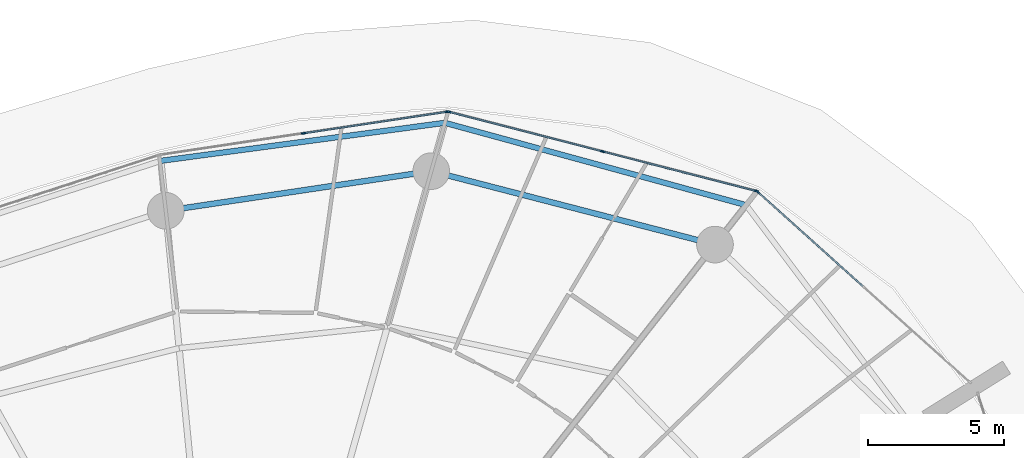
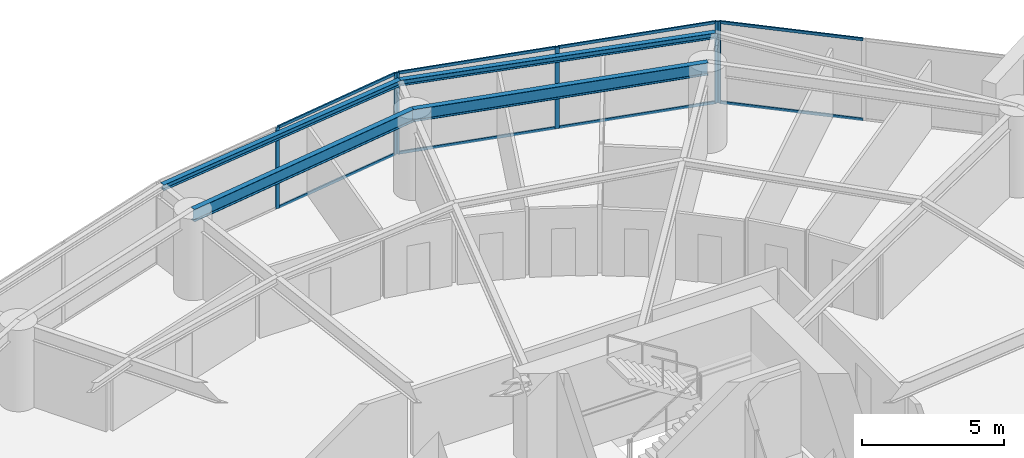
# One storey, part 15 of 22: 14 members, 4 beams, 3 elements without a shape of their own.
"""IFC4 building model written with IfcOpenShell, lengths in metres."""

from ifc_helpers import new_model, si_unit, direction, frame, origin, origin_2d, place, context, subcontext, project, spatial, rectangle, i_section, extrude, material, layer, layer_set, material_profile, profile_set, type_object, element, aggregate, save


model = new_model("IFC4")

# Units and contexts
model_context = context("Model", 3, precision=1e-05, world=origin(), true_north=direction((0.0, 1.0)))
body_context = subcontext(model_context, "Body", "Model", "MODEL_VIEW")
ifc_project = project(units=[si_unit("LENGTHUNIT", "METRE"), si_unit("AREAUNIT", "SQUARE_METRE"), si_unit("VOLUMEUNIT", "CUBIC_METRE"), si_unit("PLANEANGLEUNIT", "RADIAN"), si_unit("MASSUNIT", "GRAM", prefix="KILO")], contexts=[model_context])

# Site, building, storey
site_placement = place(None, origin())
site = spatial("IfcSite", under=ifc_project, at=site_placement, CompositionType="ELEMENT")
building_placement = place(site_placement, origin())
building = spatial("IfcBuilding", under=site, at=building_placement, Name="Kazma Halo Residences", CompositionType="ELEMENT")
storey_placement = place(building_placement, frame((0.0, 0.0, 26.39990234375)))
storey = spatial("IfcBuildingStorey", under=building, at=storey_placement, Name="L05", CompositionType="ELEMENT", Elevation=26.39990234375)

# Beams
ifc_material_1 = material(Name="Steel S355", Category="steel")
ifc_material_profile_1 = material_profile(ifc_material_1, i_section(OverallWidth=0.201904296875, OverallDepth=0.2470703125, WebThickness=0.00732421875, FlangeThickness=0.010986328125, FilletRadius=0.011962890625, at=origin_2d()), Name="W250x49.1")
ifc_profile_set_1 = profile_set([ifc_material_profile_1], Name="Steel S355")
beam_type_1 = type_object("IfcBeamType", Name="BM-BAL-CANT", PredefinedType="BEAM", material=ifc_profile_set_1)
beam_1_placement = place(storey_placement, frame((66.603515625, 65.598388671875, 3.376708984375), z_axis=(-0.964628474934, 0.263613173697, 0.0), x_axis=(-0.263613173697, -0.964628474934, 0.0)))
element("IfcBeam", 1, at=beam_1_placement, inside=storey, type_object=beam_type_1, Name="L05 wave-balcony tie beam 02", PredefinedType="BEAM", context=body_context, shape_type="SweptSolid", body=[
    extrude(i_section(OverallWidth=0.201904296875, OverallDepth=0.2470703125, WebThickness=0.00732421875, FlangeThickness=0.010986328125, FilletRadius=0.011962890625, at=origin_2d()), origin(), (0.0, 0.0, 1.0), 11.499755859375),
])
beam_2_placement = place(storey_placement, frame((55.510498046875, 68.6298828125, 3.376708984375), z_axis=(-0.991168183526, -0.13261082899, 0.0), x_axis=(0.13261082899, -0.991168183526, 0.0)))
element("IfcBeam", 2, at=beam_2_placement, inside=storey, type_object=beam_type_1, Name="L05 wave-balcony tie beam 03", PredefinedType="BEAM", context=body_context, shape_type="SweptSolid", body=[
    extrude(i_section(OverallWidth=0.201904296875, OverallDepth=0.2470703125, WebThickness=0.00732421875, FlangeThickness=0.010986328125, FilletRadius=0.011962890625, at=origin_2d()), origin(), (0.0, 0.0, 1.0), 10.551025390625),
])
ifc_material_profile_2 = material_profile(ifc_material_1, i_section(OverallWidth=0.208984375, OverallDepth=0.532958984375, WebThickness=0.01025390625, FlangeThickness=0.015625, FilletRadius=0.01611328125, at=origin_2d()), Name="W530x92")
ifc_profile_set_2 = profile_set([ifc_material_profile_2], Name="Steel S355")
beam_type_2 = type_object("IfcBeamType", Name="BM-SPN-W530", PredefinedType="BEAM", material=ifc_profile_set_2)
beam_3_placement = place(storey_placement, frame((65.458251953125, 64.145751953125, 3.233642578125), z_axis=(-0.968123558238, 0.250473104313, 0.0), x_axis=(-0.250473104313, -0.968123558238, 0.0)))
element("IfcBeam", 3, at=beam_3_placement, inside=storey, type_object=beam_type_2, Name="L05 perimeter ring beam 02", PredefinedType="BEAM", context=body_context, shape_type="SweptSolid", body=[
    extrude(i_section(OverallWidth=0.208984375, OverallDepth=0.532958984375, WebThickness=0.01025390625, FlangeThickness=0.015625, FilletRadius=0.01611328125, at=origin_2d()), origin(), (0.0, 0.0, 1.0), 10.7939453125),
])
beam_4_placement = place(storey_placement, frame((55.00830078125, 66.849365234375, 3.233642578125), z_axis=(-0.989033061974, -0.147694286693, 0.0), x_axis=(0.147694286693, -0.989033061974, 0.0)))
element("IfcBeam", 4, at=beam_4_placement, inside=storey, type_object=beam_type_2, Name="L05 perimeter ring beam 03", PredefinedType="BEAM", context=body_context, shape_type="SweptSolid", body=[
    extrude(i_section(OverallWidth=0.208984375, OverallDepth=0.532958984375, WebThickness=0.01025390625, FlangeThickness=0.015625, FilletRadius=0.01611328125, at=origin_2d()), origin(), (0.0, 0.0, 1.0), 9.885009765625),
])

# Curtain wall, member
ifc_material_2 = material(Name="Aluminium AW-6063 T6 and Triple-Silver Low-E Glass", Category="aluminium")
ifc_layer = layer(ifc_material_2, 0.159912109375)
ifc_layer_set = layer_set([ifc_layer], Name="Aluminium AW-6063 T6 and Triple-Silver Low-E Glass")
curtain_wall_type = type_object("IfcCurtainWallType", Name="CW-SYS-2", PredefinedType="NOTDEFINED", material=ifc_layer_set)
curtain_wall_1_placement = place(storey_placement, origin())
curtain_wall_1 = element("IfcCurtainWall", 5, at=curtain_wall_1_placement, inside=storey, type_object=curtain_wall_type, Name="L05 unitised curtain wall B01", PredefinedType="NOTDEFINED")
ifc_material_3 = material(Name="Aluminium AW-6063 T6", Category="aluminium")
ifc_material_profile_3 = material_profile(ifc_material_3, rectangle(XDim=0.06005859375, YDim=0.159912109375, at=origin_2d()), Name="CWM-60x160")
ifc_profile_set_3 = profile_set([ifc_material_profile_3], Name="Aluminium AW-6063 T6")
member_type_1 = type_object("IfcMemberType", Name="CW-SYS-2-MUL", PredefinedType="MULLION", material=ifc_profile_set_3)
member_1_placement = place(storey_placement, frame((67.028076171875, 66.088623046875, 0.0), z_axis=(0.0, 0.0, 1.0), x_axis=(-0.667821453854, -0.744321506993, 0.0)))
member_1 = element("IfcMember", 6, at=member_1_placement, type_object=member_type_1, Name="CWS-2 mullion 3", PredefinedType="MULLION", context=body_context, shape_type="SweptSolid", body=[
    extrude(rectangle(XDim=0.06005859375, YDim=0.159912109375, at=origin_2d()), origin(), (0.0, 0.0, 1.0), 3.5),
])

# Curtain wall, members
curtain_wall_2_placement = place(storey_placement, origin())
curtain_wall_2 = element("IfcCurtainWall", 7, at=curtain_wall_2_placement, inside=storey, type_object=curtain_wall_type, Name="L05 unitised curtain wall B02", PredefinedType="NOTDEFINED")
member_2_placement = place(storey_placement, frame((66.976806640625, 66.1162109375, 0.0), z_axis=(0.0, 0.0, 1.0), x_axis=(-0.249635311349, -0.968339925505, 0.0)))
member_2 = element("IfcMember", 8, at=member_2_placement, type_object=member_type_1, Name="CWS-2 mullion 1", PredefinedType="MULLION", context=body_context, shape_type="SweptSolid", body=[
    extrude(rectangle(XDim=0.06005859375, YDim=0.159912109375, at=origin_2d()), origin(), (0.0, 0.0, 1.0), 3.5),
])
member_3_placement = place(storey_placement, frame((61.316162109375, 67.575439453125, 0.0), z_axis=(0.0, 0.0, 1.0), x_axis=(-0.249635311349, -0.968339925505, 0.0)))
member_3 = element("IfcMember", 9, at=member_3_placement, type_object=member_type_1, Name="CWS-2 mullion 2", PredefinedType="MULLION", context=body_context, shape_type="SweptSolid", body=[
    extrude(rectangle(XDim=0.06005859375, YDim=0.159912109375, at=origin_2d()), origin(), (0.0, 0.0, 1.0), 3.5),
])
member_4_placement = place(storey_placement, frame((55.65576171875, 69.03466796875, 0.0), z_axis=(0.0, 0.0, 1.0), x_axis=(-0.249635311349, -0.968339925505, 0.0)))
member_4 = element("IfcMember", 10, at=member_4_placement, type_object=member_type_1, Name="CWS-2 mullion 3", PredefinedType="MULLION", context=body_context, shape_type="SweptSolid", body=[
    extrude(rectangle(XDim=0.06005859375, YDim=0.159912109375, at=origin_2d()), origin(), (0.0, 0.0, 1.0), 3.5),
])

curtain_wall_3_placement = place(storey_placement, origin())
curtain_wall_3 = element("IfcCurtainWall", 11, at=curtain_wall_3_placement, inside=storey, type_object=curtain_wall_type, Name="L05 unitised curtain wall B03", PredefinedType="NOTDEFINED")
member_5_placement = place(storey_placement, frame((55.596923828125, 69.037841796875, 0.0), z_axis=(0.0, 0.0, 1.0), x_axis=(0.148657272805, -0.988888777994, 0.0)))
member_5 = element("IfcMember", 12, at=member_5_placement, type_object=member_type_1, Name="CWS-2 mullion 1", PredefinedType="MULLION", context=body_context, shape_type="SweptSolid", body=[
    extrude(rectangle(XDim=0.06005859375, YDim=0.159912109375, at=origin_2d()), origin(), (0.0, 0.0, 1.0), 3.5),
])
member_6_placement = place(storey_placement, frame((50.3076171875, 68.24267578125, 0.0), z_axis=(0.0, 0.0, 1.0), x_axis=(0.148657272805, -0.988888777994, 0.0)))
member_6 = element("IfcMember", 13, at=member_6_placement, type_object=member_type_1, Name="CWS-2 mullion 2", PredefinedType="MULLION", context=body_context, shape_type="SweptSolid", body=[
    extrude(rectangle(XDim=0.06005859375, YDim=0.159912109375, at=origin_2d()), origin(), (0.0, 0.0, 1.0), 3.5),
])

# Member
ifc_material_profile_4 = material_profile(ifc_material_3, rectangle(XDim=0.06005859375, YDim=0.1201171875, at=origin_2d()), Name="CWT-60x120")
ifc_profile_set_4 = profile_set([ifc_material_profile_4], Name="Aluminium AW-6063 T6")
member_type_2 = type_object("IfcMemberType", Name="CW-SYS-2-TRN", PredefinedType="USERDEFINED", material=ifc_profile_set_4)
member_7_placement = place(storey_placement, frame((70.905029296875, 62.6103515625, 0.030029296875), z_axis=(-0.744329408538, 0.66781264707, 0.0), x_axis=(-0.66781264707, -0.744329408538, 0.0)))
member_7 = element("IfcMember", 14, at=member_7_placement, type_object=member_type_2, Name="CWS-2 transom 2.1", ObjectType="TRANSOM", PredefinedType="USERDEFINED", context=body_context, shape_type="SweptSolid", body=[
    extrude(rectangle(XDim=0.06005859375, YDim=0.1201171875, at=origin_2d()), origin(), (0.0, 0.0, 1.0), 5.178466796875),
])

member_8_placement = place(storey_placement, frame((70.905029296875, 62.6103515625, 3.47021484375), z_axis=(-0.744329408538, 0.66781264707, 0.0), x_axis=(-0.66781264707, -0.744329408538, 0.0)))
member_8 = element("IfcMember", 15, at=member_8_placement, type_object=member_type_2, Name="CWS-2 transom 2.2", ObjectType="TRANSOM", PredefinedType="USERDEFINED", context=body_context, shape_type="SweptSolid", body=[
    extrude(rectangle(XDim=0.06005859375, YDim=0.1201171875, at=origin_2d()), origin(), (0.0, 0.0, 1.0), 5.178466796875),
])

aggregate(curtain_wall_1, [member_1, member_7, member_8])

member_9_placement = place(storey_placement, frame((66.94775390625, 66.123779296875, 0.030029296875), z_axis=(-0.968349410309, 0.249598516732, 0.0), x_axis=(-0.249598516732, -0.968349410309, 0.0)))
member_9 = element("IfcMember", 16, at=member_9_placement, type_object=member_type_2, Name="CWS-2 transom 1.1", ObjectType="TRANSOM", PredefinedType="USERDEFINED", context=body_context, shape_type="SweptSolid", body=[
    extrude(rectangle(XDim=0.06005859375, YDim=0.1201171875, at=origin_2d()), origin(), (0.0, 0.0, 1.0), 5.78564453125),
])

member_10_placement = place(storey_placement, frame((66.94775390625, 66.123779296875, 3.47021484375), z_axis=(-0.968349410309, 0.249598516732, 0.0), x_axis=(-0.249598516732, -0.968349410309, 0.0)))
member_10 = element("IfcMember", 17, at=member_10_placement, type_object=member_type_2, Name="CWS-2 transom 1.2", ObjectType="TRANSOM", PredefinedType="USERDEFINED", context=body_context, shape_type="SweptSolid", body=[
    extrude(rectangle(XDim=0.06005859375, YDim=0.1201171875, at=origin_2d()), origin(), (0.0, 0.0, 1.0), 5.78564453125),
])

member_11_placement = place(storey_placement, frame((61.287109375, 67.5830078125, 0.030029296875), z_axis=(-0.968336580669, 0.249648285669, 0.0), x_axis=(-0.249648285669, -0.968336580669, 0.0)))
member_11 = element("IfcMember", 18, at=member_11_placement, type_object=member_type_2, Name="CWS-2 transom 2.1", ObjectType="TRANSOM", PredefinedType="USERDEFINED", context=body_context, shape_type="SweptSolid", body=[
    extrude(rectangle(XDim=0.06005859375, YDim=0.1201171875, at=origin_2d()), origin(), (0.0, 0.0, 1.0), 5.785400390625),
])

member_12_placement = place(storey_placement, frame((61.287109375, 67.5830078125, 3.47021484375), z_axis=(-0.968336580669, 0.249648285669, 0.0), x_axis=(-0.249648285669, -0.968336580669, 0.0)))
member_12 = element("IfcMember", 19, at=member_12_placement, type_object=member_type_2, Name="CWS-2 transom 2.2", ObjectType="TRANSOM", PredefinedType="USERDEFINED", context=body_context, shape_type="SweptSolid", body=[
    extrude(rectangle(XDim=0.06005859375, YDim=0.1201171875, at=origin_2d()), origin(), (0.0, 0.0, 1.0), 5.785400390625),
])

aggregate(curtain_wall_2, [member_2, member_3, member_4, member_9, member_10, member_11, member_12])

member_13_placement = place(storey_placement, frame((55.5673828125, 69.033203125, 0.030029296875), z_axis=(-0.988890934274, -0.148642928222, 0.0), x_axis=(0.148642928222, -0.988890934274, 0.0)))
member_13 = element("IfcMember", 20, at=member_13_placement, type_object=member_type_2, Name="CWS-2 transom 1.1", ObjectType="TRANSOM", PredefinedType="USERDEFINED", context=body_context, shape_type="SweptSolid", body=[
    extrude(rectangle(XDim=0.06005859375, YDim=0.1201171875, at=origin_2d()), origin(), (0.0, 0.0, 1.0), 5.288818359375),
])

member_14_placement = place(storey_placement, frame((55.5673828125, 69.033203125, 3.47021484375), z_axis=(-0.988890934274, -0.148642928222, 0.0), x_axis=(0.148642928222, -0.988890934274, 0.0)))
member_14 = element("IfcMember", 21, at=member_14_placement, type_object=member_type_2, Name="CWS-2 transom 1.2", ObjectType="TRANSOM", PredefinedType="USERDEFINED", context=body_context, shape_type="SweptSolid", body=[
    extrude(rectangle(XDim=0.06005859375, YDim=0.1201171875, at=origin_2d()), origin(), (0.0, 0.0, 1.0), 5.288818359375),
])

aggregate(curtain_wall_3, [member_5, member_6, member_13, member_14])

save(model, "model.ifc")
